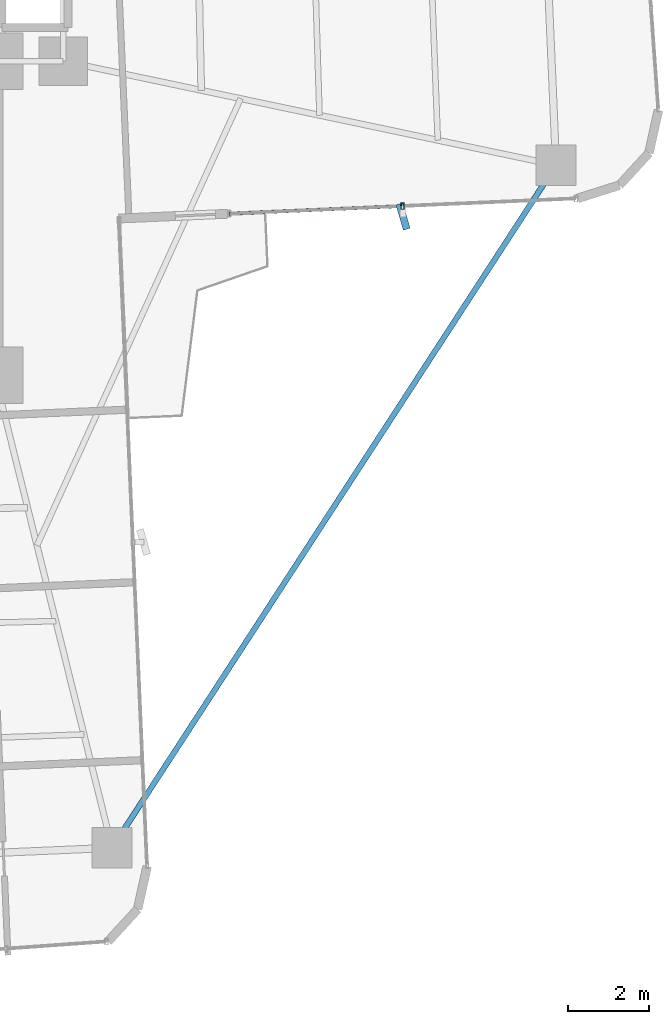
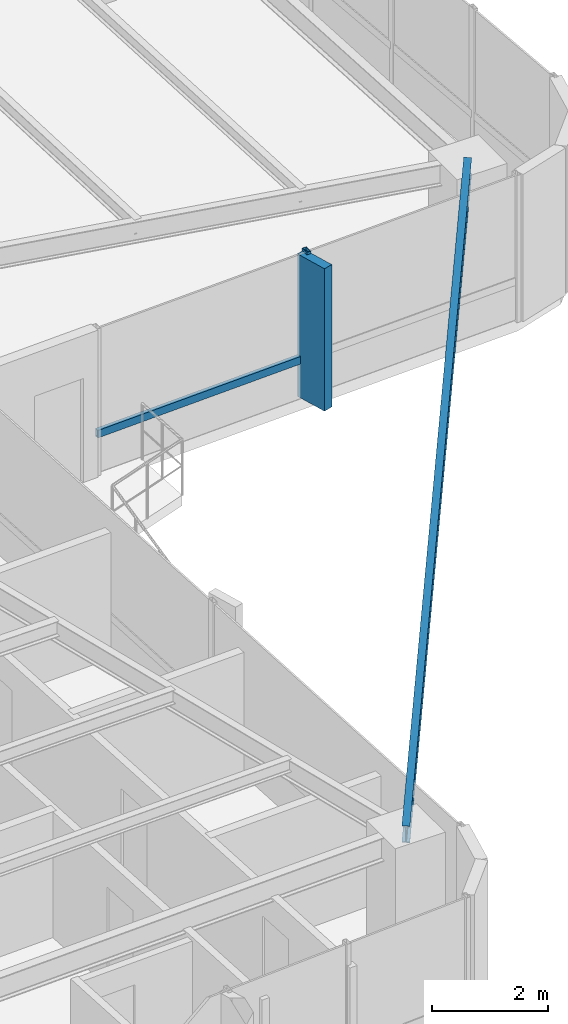
# One storey, part 14 of 26: 3 members, 1 beam, 1 element without a shape of its own.
"""IFC4 building model written with IfcOpenShell, lengths in metres."""

from ifc_helpers import new_model, si_unit, direction, frame, origin, origin_2d, place, context, subcontext, project, spatial, rectangle, hollow_rectangle, i_section, extrude, source, transform, mapped, material, material_profile, profile_set, type_object, element, aggregate, save


model = new_model("IFC4")

# Units and contexts
model_context = context("Model", 3, precision=1e-05, world=origin(), true_north=direction((0.0, 1.0)))
body_context = subcontext(model_context, "Body", "Model", "MODEL_VIEW")
ifc_project = project(units=[si_unit("LENGTHUNIT", "METRE"), si_unit("AREAUNIT", "SQUARE_METRE"), si_unit("VOLUMEUNIT", "CUBIC_METRE"), si_unit("PLANEANGLEUNIT", "RADIAN"), si_unit("MASSUNIT", "GRAM", prefix="KILO")], contexts=[model_context])

# Site, building, storey
site_placement = place(None, origin())
site = spatial("IfcSite", under=ifc_project, at=site_placement, CompositionType="ELEMENT")
building_placement = place(site_placement, origin())
building = spatial("IfcBuilding", under=site, at=building_placement, Name="Sahyath Konkavel Grand Hotel", CompositionType="ELEMENT")
storey_placement = place(building_placement, frame((0.0, 0.0, 96.89990234375)))
storey = spatial("IfcBuildingStorey", under=building, at=storey_placement, Name="L26", CompositionType="ELEMENT", Elevation=96.89990234375)

# Beam
ifc_material_1 = material(Name="Steel E350", Category="steel")
ifc_material_profile_1 = material_profile(ifc_material_1, i_section(OverallWidth=0.139892578125, OverallDepth=0.35009765625, WebThickness=0.008056640625, FlangeThickness=0.01416015625, FilletRadius=0.013916015625, at=origin_2d()), Name="ISMB 350")
ifc_profile_set_1 = profile_set([ifc_material_profile_1], Name="Steel E350")
beam_type = type_object("IfcBeamType", Name="BM-ISMB350", PredefinedType="BEAM", material=ifc_profile_set_1)
shared_shape_1 = source(origin(), body_context, "Body", "SweptSolid", [
    extrude(i_section(OverallWidth=0.139892578125, OverallDepth=0.35009765625, WebThickness=0.008056640625, FlangeThickness=0.01416015625, FilletRadius=0.013916015625, at=origin_2d()), origin(), (0.0, 0.0, 1.0), 20.21533203125),
])
beam_placement = place(storey_placement, frame((17.734130859375, -4.981201171875, 2.93505859375), z_axis=(-0.545191244931, -0.838311700056, 0.0), x_axis=(0.838311700056, -0.545191244931, 0.0)))
element("IfcBeam", 1, at=beam_placement, inside=storey, type_object=beam_type, Name="L26 Re-Entrant Tie Beam SE", PredefinedType="BEAM", context=body_context, shape_type="MappedRepresentation", body=[
    mapped(shared_shape_1, transform((0.0, 0.0, 0.0), scale=1.0)),
])

# Curtain wall, members
ifc_material_2 = material(Name="Anodised Bronze Aluminium & Low-E Glazing", Category="aluminium")
curtain_wall_type = type_object("IfcCurtainWallType", Name="CW-ZONE2", PredefinedType="NOTDEFINED", material=ifc_material_2)
curtain_wall_placement = place(storey_placement, origin())
curtain_wall = element("IfcCurtainWall", 2, at=curtain_wall_placement, inside=storey, type_object=curtain_wall_type, Name="L26 Unitised Curtain Wall F0", PredefinedType="NOTDEFINED")
ifc_material_3 = material(Name="Warm Buff Sandstone Cladding on Concrete C50/60", Category="masonry")
ifc_material_profile_2 = material_profile(ifc_material_3, rectangle(XDim=0.179931640625, YDim=0.64990234375, at=origin_2d()), Name="FIN 180x650")
ifc_profile_set_2 = profile_set([ifc_material_profile_2], Name="Warm Buff Sandstone Cladding on Concrete C50/60")
member_type_1 = type_object("IfcMemberType", Name="FIN-SANDSTONE-650", PredefinedType="MULLION", material=ifc_profile_set_2)
shared_shape_2 = source(origin(), body_context, "Body", "SweptSolid", [
    extrude(rectangle(XDim=0.179931640625, YDim=0.64990234375, at=origin_2d()), origin(), (0.0, 0.0, 1.0), 3.010009765625),
])
member_1_placement = place(storey_placement, frame((13.936279296875, -6.258056640625, 0.050048828125), z_axis=(0.0, 0.0, 1.0), x_axis=(0.960488224179, 0.278320626641, 0.0)))
member_1 = element("IfcMember", 3, at=member_1_placement, type_object=member_type_1, Name="L26 Sandstone Vertical Solar Fin FIN F0-1", PredefinedType="MULLION", context=body_context, shape_type="MappedRepresentation", body=[
    mapped(shared_shape_2, transform((0.0, 0.0, 0.0), scale=1.0)),
])
ifc_material_4 = material(Name="Anodised Bronze Aluminium", Category="aluminium")
ifc_material_profile_3 = material_profile(ifc_material_4, hollow_rectangle(XDim=0.080078125, YDim=0.159912109375, WallThickness=0.006103515625, at=origin_2d()), Name="RHS 160x80x6")
ifc_profile_set_3 = profile_set([ifc_material_profile_3], Name="Anodised Bronze Aluminium")
member_type_2 = type_object("IfcMemberType", Name="CW-MUL-160", PredefinedType="MULLION", material=ifc_profile_set_3)
shared_shape_3 = source(origin(), body_context, "Body", "SweptSolid", [
    extrude(hollow_rectangle(XDim=0.080078125, YDim=0.159912109375, WallThickness=0.006103515625, at=origin_2d()), origin(), (0.0, 0.0, 1.0), 3.110107421875),
])
member_2_placement = place(storey_placement, frame((13.9248046875, -5.998291015625, 0.0), z_axis=(0.0, 0.0, 1.0), x_axis=(1.0, 0.0, 0.0)))
member_2 = element("IfcMember", 4, at=member_2_placement, type_object=member_type_2, Name="L26 Curtain Wall Mullion F0-1", PredefinedType="MULLION", context=body_context, shape_type="MappedRepresentation", body=[
    mapped(shared_shape_3, transform((0.0, 0.0, 0.0), scale=1.0)),
])
ifc_material_profile_4 = material_profile(ifc_material_4, hollow_rectangle(XDim=0.080078125, YDim=0.159912109375, WallThickness=0.006103515625, at=origin_2d()), Name="RHS 160x80x6")
ifc_profile_set_4 = profile_set([ifc_material_profile_4], Name="Anodised Bronze Aluminium")
member_type_3 = type_object("IfcMemberType", Name="CW-TRN-160", PredefinedType="USERDEFINED", material=ifc_profile_set_4)
shared_shape_4 = source(origin(), body_context, "Body", "SweptSolid", [
    extrude(hollow_rectangle(XDim=0.080078125, YDim=0.159912109375, WallThickness=0.006103515625, at=origin_2d()), origin(), (0.0, 0.0, 1.0), 4.31005859375),
])
member_3_placement = place(storey_placement, frame((9.618896484375, -6.186279296875, 0.85009765625), z_axis=(0.999048340188, 0.043616670746, 0.0), x_axis=(-0.043616670746, 0.999048340188, 0.0)))
member_3 = element("IfcMember", 5, at=member_3_placement, type_object=member_type_3, Name="L26 Curtain Wall Transom F0-0-spandrel", ObjectType="TRANSOM", PredefinedType="USERDEFINED", context=body_context, shape_type="MappedRepresentation", body=[
    mapped(shared_shape_4, transform((0.0, 0.0, 0.0), scale=1.0)),
])
aggregate(curtain_wall, [member_2, member_1, member_3])

save(model, "model.ifc")
